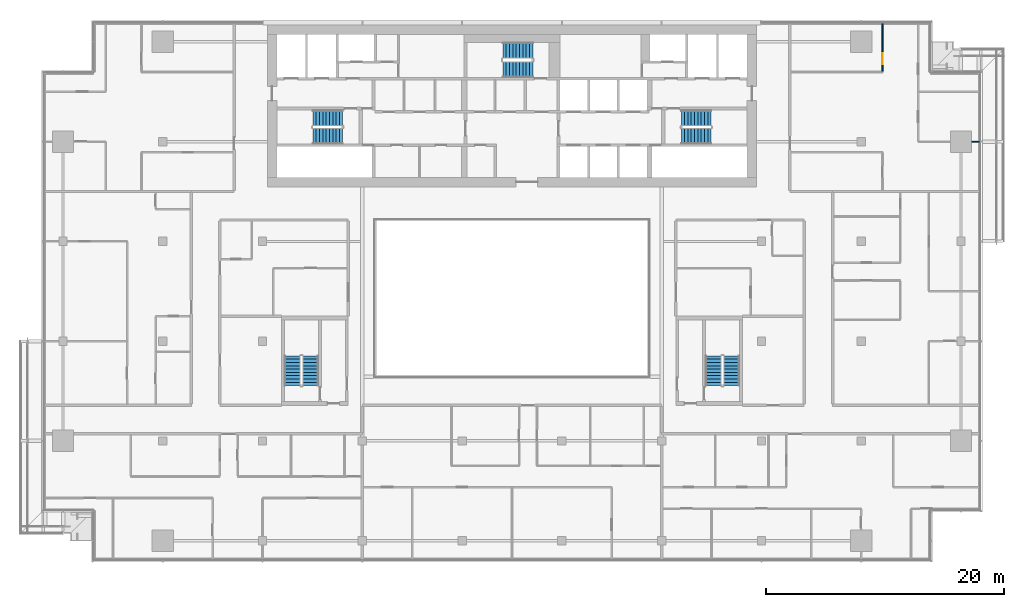
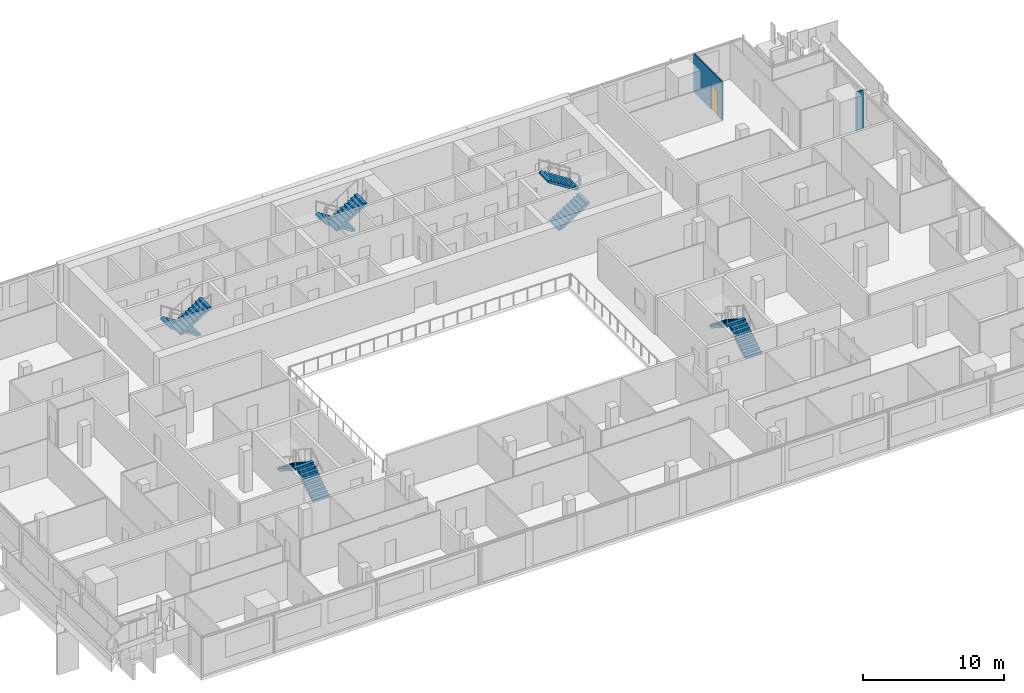
# One storey, part 23 of 29: 10 stair flights, 2 walls, 1 door, 1 opening, 5 elements without a shape of their own.
"""IFC4 building model written with IfcOpenShell, lengths in metres."""

from ifc_helpers import new_model, si_unit, direction, frame, frame_2d, origin, place, context, subcontext, project, spatial, polyline, rectangle, outline, extrude, material, layer, layer_set, type_object, element, fill, aggregate, save


model = new_model("IFC4")

# Units and contexts
model_context = context("Model", 3, precision=1e-05, world=origin(), true_north=direction((0.0, 1.0)))
body_context = subcontext(model_context, "Body", "Model", "MODEL_VIEW")
ifc_project = project(units=[si_unit("LENGTHUNIT", "METRE"), si_unit("AREAUNIT", "SQUARE_METRE"), si_unit("VOLUMEUNIT", "CUBIC_METRE"), si_unit("PLANEANGLEUNIT", "RADIAN"), si_unit("MASSUNIT", "GRAM", prefix="KILO")], contexts=[model_context])

# Site, building, storey
site_placement = place(None, origin())
site = spatial("IfcSite", under=ifc_project, at=site_placement, CompositionType="ELEMENT")
building_placement = place(site_placement, origin())
building = spatial("IfcBuilding", under=site, at=building_placement, Name="Saffron Gate Tower", CompositionType="ELEMENT")
storey_placement = place(building_placement, frame((0.0, 0.0, 187.050048828125)))
storey = spatial("IfcBuildingStorey", under=building, at=storey_placement, Name="L46", CompositionType="ELEMENT", Elevation=187.050048828125)

# Wall
ifc_material_1 = material(Name="Plasterboard on steel studs", Category="steel")
ifc_layer = layer(ifc_material_1, 0.10009765625)
ifc_layer_set = layer_set([ifc_layer], Name="PW1 Partition 100")
wall_type = type_object("IfcWallType", Name="PW1 Partition 100", PredefinedType="PARTITIONING", material=ifc_layer_set)
wall_1_placement = place(storey_placement, frame((126.320068359375, 65.39990234375, 0.0), z_axis=(0.0, 0.0, 1.0), x_axis=(1.0, 0.0, 0.0)))
element("IfcWall", 1, at=wall_1_placement, inside=storey, type_object=wall_type, Name="Partition C4-52", PredefinedType="PARTITIONING", context=body_context, shape_type="SweptSolid", body=[
    extrude(rectangle(XDim=0.599853515625, YDim=0.10009765625, at=frame_2d((0.2998046875, 0.0))), origin(), (0.0, 0.0, 1.0), 3.320068359375),
])

# Wall, opening, door
wall_2_placement = place(storey_placement, frame((118.800048828125, 71.306396484375, 0.0), z_axis=(0.0, 0.0, 1.0), x_axis=(0.0, 1.0, 0.0)))
wall_2 = element("IfcWall", 2, at=wall_2_placement, inside=storey, type_object=wall_type, Name="Partition C4-107", PredefinedType="PARTITIONING", context=body_context, shape_type="SweptSolid", body=[
    extrude(rectangle(XDim=4.013671875, YDim=0.10009765625, at=frame_2d((2.0068359375, 0.0))), origin(), (0.0, 0.0, 1.0), 3.320068359375),
])
opening_placement = place(wall_2_placement, frame((0.621826171875, 0.0, 0.0)))
opening = element("IfcOpeningElement", 3, at=opening_placement, cuts=wall_2, Name="Opening C4-37", PredefinedType="OPENING", context=body_context, shape_type="SweptSolid", body=[
    extrude(rectangle(XDim=0.89990234375, YDim=2.10009765625, at=frame_2d((0.449951171875, 1.050048828125))), frame((0.0, 0.06005859375, 0.0), z_axis=(0.0, -1.0, 0.0), x_axis=(1.0, 0.0, 0.0)), (0.0, 0.0, 1.0), 0.1201171875),
])
ifc_material_2 = material(Name="Timber door set", Category="wood")
door_type = type_object("IfcDoorType", Name="RD1 Room door 900x2100", OperationType="NOTDEFINED", PredefinedType="DOOR", material=ifc_material_2)
door_placement = place(opening_placement, origin())
door = element("IfcDoor", 4, at=door_placement, inside=storey, type_object=door_type, Name="Door C4-37", OperationType="SINGLE_SWING_LEFT", OverallHeight=2.10009765625, OverallWidth=0.89990234375, PredefinedType="DOOR", context=body_context, shape_type="SweptSolid", body=[
    extrude(rectangle(XDim=0.89990234375, YDim=2.10009765625, at=frame_2d((0.449951171875, 1.050048828125))), frame((0.0, 0.02490234375, 0.0), z_axis=(0.0, -1.0, 0.0), x_axis=(1.0, 0.0, 0.0)), (0.0, 0.0, 1.0), 0.050048828125),
])
fill(opening, door)

# Stair, stair flights
ifc_material_3 = material(Name="Concrete C40", Category="concrete")
stair_type = type_object("IfcStairType", Name="ST7 Stair 1350 wide, 20 risers of 180", PredefinedType="HALF_TURN_STAIR", material=ifc_material_3)
stair_1_placement = place(storey_placement, origin())
stair_1 = element("IfcStair", 5, at=stair_1_placement, inside=storey, type_object=stair_type, Name="L46 Exit stair A", PredefinedType="HALF_TURN_STAIR")
stair_flight_type = type_object("IfcStairFlightType", Name="SF3 Stair flight 1350 wide, riser 180 going 280", PredefinedType="STRAIGHT", material=ifc_material_3)
stair_flight_1_placement = place(storey_placement, frame((73.35009765625, 67.375, 0.0), z_axis=(0.0, 0.0, 1.0), x_axis=(-1.0, 0.0, 0.0)))
stair_flight_1 = element("IfcStairFlight", 6, at=stair_flight_1_placement, type_object=stair_flight_type, Name="ST-A flight 1", NumberOfRisers=10, NumberOfTreads=9, PredefinedType="STRAIGHT", RiserHeight=0.18, TreadLength=0.28, context=body_context, shape_type="SweptSolid", body=[
    extrude(outline(polyline([(0.0, 0.0), (0.0, 0.179931640625), (0.280029296875, 0.179931640625), (0.280029296875, 0.360107421875), (0.56005859375, 0.360107421875), (0.56005859375, 0.5400390625), (0.840087890625, 0.5400390625), (0.840087890625, 0.719970703125), (1.1201171875, 0.719970703125), (1.1201171875, 0.89990234375), (1.39990234375, 0.89990234375), (1.39990234375, 1.080078125), (1.679931640625, 1.080078125), (1.679931640625, 1.260009765625), (1.9599609375, 1.260009765625), (1.9599609375, 1.43994140625), (2.239990234375, 1.43994140625), (2.239990234375, 1.6201171875), (2.52001953125, 1.6201171875), (2.52001953125, 1.800048828125), (2.52001953125, 1.44189453125), (0.277099609375, 0.0), (0.0, 0.0)])), frame((0.0, 0.675048828125, 0.0), z_axis=(0.0, -1.0, 0.0), x_axis=(1.0, 0.0, 0.0)), (0.0, 0.0, 1.0), 1.35009765625),
])
stair_flight_2_placement = place(storey_placement, frame((70.830078125, 65.875, 1.800048828125), z_axis=(0.0, 0.0, 1.0), x_axis=(1.0, 0.0, 0.0)))
stair_flight_2 = element("IfcStairFlight", 7, at=stair_flight_2_placement, type_object=stair_flight_type, Name="ST-A flight 2", NumberOfRisers=10, NumberOfTreads=9, PredefinedType="STRAIGHT", RiserHeight=0.18, TreadLength=0.28, context=body_context, shape_type="SweptSolid", body=[
    extrude(outline(polyline([(0.0, 0.0), (0.0, 0.179931640625), (0.280029296875, 0.179931640625), (0.280029296875, 0.360107421875), (0.56005859375, 0.360107421875), (0.56005859375, 0.5400390625), (0.840087890625, 0.5400390625), (0.840087890625, 0.719970703125), (1.1201171875, 0.719970703125), (1.1201171875, 0.89990234375), (1.39990234375, 0.89990234375), (1.39990234375, 1.080078125), (1.679931640625, 1.080078125), (1.679931640625, 1.260009765625), (1.9599609375, 1.260009765625), (1.9599609375, 1.43994140625), (2.239990234375, 1.43994140625), (2.239990234375, 1.6201171875), (2.52001953125, 1.6201171875), (2.52001953125, 1.800048828125), (2.52001953125, 1.44189453125), (0.277099609375, 0.0), (0.0, 0.0)])), frame((0.0, 0.675048828125, 0.0), z_axis=(0.0, -1.0, 0.0), x_axis=(1.0, 0.0, 0.0)), (0.0, 0.0, 1.0), 1.35009765625),
])
aggregate(stair_1, [stair_flight_1, stair_flight_2])

stair_2_placement = place(storey_placement, origin())
stair_2 = element("IfcStair", 8, at=stair_2_placement, inside=storey, type_object=stair_type, Name="L46 Exit stair B", PredefinedType="HALF_TURN_STAIR")
stair_flight_3_placement = place(storey_placement, frame((101.85009765625, 65.875, 0.0), z_axis=(0.0, 0.0, 1.0), x_axis=(1.0, 0.0, 0.0)))
stair_flight_3 = element("IfcStairFlight", 9, at=stair_flight_3_placement, type_object=stair_flight_type, Name="ST-B flight 1", NumberOfRisers=10, NumberOfTreads=9, PredefinedType="STRAIGHT", RiserHeight=0.18, TreadLength=0.28, context=body_context, shape_type="SweptSolid", body=[
    extrude(outline(polyline([(0.0, 0.0), (0.0, 0.179931640625), (0.280029296875, 0.179931640625), (0.280029296875, 0.360107421875), (0.56005859375, 0.360107421875), (0.56005859375, 0.5400390625), (0.840087890625, 0.5400390625), (0.840087890625, 0.719970703125), (1.1201171875, 0.719970703125), (1.1201171875, 0.89990234375), (1.39990234375, 0.89990234375), (1.39990234375, 1.080078125), (1.679931640625, 1.080078125), (1.679931640625, 1.260009765625), (1.9599609375, 1.260009765625), (1.9599609375, 1.43994140625), (2.239990234375, 1.43994140625), (2.239990234375, 1.6201171875), (2.52001953125, 1.6201171875), (2.52001953125, 1.800048828125), (2.52001953125, 1.44189453125), (0.277099609375, 0.0), (0.0, 0.0)])), frame((0.0, 0.675048828125, 0.0), z_axis=(0.0, -1.0, 0.0), x_axis=(1.0, 0.0, 0.0)), (0.0, 0.0, 1.0), 1.35009765625),
])
stair_flight_4_placement = place(storey_placement, frame((104.3701171875, 67.375, 1.800048828125), z_axis=(0.0, 0.0, 1.0), x_axis=(-1.0, 0.0, 0.0)))
stair_flight_4 = element("IfcStairFlight", 10, at=stair_flight_4_placement, type_object=stair_flight_type, Name="ST-B flight 2", NumberOfRisers=10, NumberOfTreads=9, PredefinedType="STRAIGHT", RiserHeight=0.18, TreadLength=0.28, context=body_context, shape_type="SweptSolid", body=[
    extrude(outline(polyline([(0.0, 0.0), (0.0, 0.179931640625), (0.280029296875, 0.179931640625), (0.280029296875, 0.360107421875), (0.56005859375, 0.360107421875), (0.56005859375, 0.5400390625), (0.840087890625, 0.5400390625), (0.840087890625, 0.719970703125), (1.1201171875, 0.719970703125), (1.1201171875, 0.89990234375), (1.39990234375, 0.89990234375), (1.39990234375, 1.080078125), (1.679931640625, 1.080078125), (1.679931640625, 1.260009765625), (1.9599609375, 1.260009765625), (1.9599609375, 1.43994140625), (2.239990234375, 1.43994140625), (2.239990234375, 1.6201171875), (2.52001953125, 1.6201171875), (2.52001953125, 1.800048828125), (2.52001953125, 1.44189453125), (0.277099609375, 0.0), (0.0, 0.0)])), frame((0.0, 0.675048828125, 0.0), z_axis=(0.0, -1.0, 0.0), x_axis=(1.0, 0.0, 0.0)), (0.0, 0.0, 1.0), 1.35009765625),
])
aggregate(stair_2, [stair_flight_3, stair_flight_4])

stair_3_placement = place(storey_placement, origin())
stair_3 = element("IfcStair", 11, at=stair_3_placement, inside=storey, type_object=stair_type, Name="L46 Exit stair C", PredefinedType="HALF_TURN_STAIR")
stair_flight_5_placement = place(storey_placement, frame((89.35009765625, 73.074951171875, 0.0), z_axis=(0.0, 0.0, 1.0), x_axis=(-1.0, 0.0, 0.0)))
stair_flight_5 = element("IfcStairFlight", 12, at=stair_flight_5_placement, type_object=stair_flight_type, Name="ST-C flight 1", NumberOfRisers=10, NumberOfTreads=9, PredefinedType="STRAIGHT", RiserHeight=0.18, TreadLength=0.28, context=body_context, shape_type="SweptSolid", body=[
    extrude(outline(polyline([(0.0, 0.0), (0.0, 0.179931640625), (0.280029296875, 0.179931640625), (0.280029296875, 0.360107421875), (0.56005859375, 0.360107421875), (0.56005859375, 0.5400390625), (0.840087890625, 0.5400390625), (0.840087890625, 0.719970703125), (1.1201171875, 0.719970703125), (1.1201171875, 0.89990234375), (1.39990234375, 0.89990234375), (1.39990234375, 1.080078125), (1.679931640625, 1.080078125), (1.679931640625, 1.260009765625), (1.9599609375, 1.260009765625), (1.9599609375, 1.43994140625), (2.239990234375, 1.43994140625), (2.239990234375, 1.6201171875), (2.52001953125, 1.6201171875), (2.52001953125, 1.800048828125), (2.52001953125, 1.44189453125), (0.277099609375, 0.0), (0.0, 0.0)])), frame((0.0, 0.675048828125, 0.0), z_axis=(0.0, -1.0, 0.0), x_axis=(1.0, 0.0, 0.0)), (0.0, 0.0, 1.0), 1.35009765625),
])
stair_flight_6_placement = place(storey_placement, frame((86.830078125, 71.47509765625, 1.800048828125), z_axis=(0.0, 0.0, 1.0), x_axis=(1.0, 0.0, 0.0)))
stair_flight_6 = element("IfcStairFlight", 13, at=stair_flight_6_placement, type_object=stair_flight_type, Name="ST-C flight 2", NumberOfRisers=10, NumberOfTreads=9, PredefinedType="STRAIGHT", RiserHeight=0.18, TreadLength=0.28, context=body_context, shape_type="SweptSolid", body=[
    extrude(outline(polyline([(0.0, 0.0), (0.0, 0.179931640625), (0.280029296875, 0.179931640625), (0.280029296875, 0.360107421875), (0.56005859375, 0.360107421875), (0.56005859375, 0.5400390625), (0.840087890625, 0.5400390625), (0.840087890625, 0.719970703125), (1.1201171875, 0.719970703125), (1.1201171875, 0.89990234375), (1.39990234375, 0.89990234375), (1.39990234375, 1.080078125), (1.679931640625, 1.080078125), (1.679931640625, 1.260009765625), (1.9599609375, 1.260009765625), (1.9599609375, 1.43994140625), (2.239990234375, 1.43994140625), (2.239990234375, 1.6201171875), (2.52001953125, 1.6201171875), (2.52001953125, 1.800048828125), (2.52001953125, 1.44189453125), (0.277099609375, 0.0), (0.0, 0.0)])), frame((0.0, 0.675048828125, 0.0), z_axis=(0.0, -1.0, 0.0), x_axis=(1.0, 0.0, 0.0)), (0.0, 0.0, 1.0), 1.35009765625),
])
aggregate(stair_3, [stair_flight_5, stair_flight_6])

stair_4_placement = place(storey_placement, origin())
stair_4 = element("IfcStair", 14, at=stair_4_placement, inside=storey, type_object=stair_type, Name="L46 Exit stair D", PredefinedType="HALF_TURN_STAIR")
stair_flight_7_placement = place(storey_placement, frame((70.625, 44.85009765625, 0.0), z_axis=(0.0, 0.0, 1.0), x_axis=(0.0, 1.0, 0.0)))
stair_flight_7 = element("IfcStairFlight", 15, at=stair_flight_7_placement, type_object=stair_flight_type, Name="ST-D flight 1", NumberOfRisers=10, NumberOfTreads=9, PredefinedType="STRAIGHT", RiserHeight=0.18, TreadLength=0.28, context=body_context, shape_type="SweptSolid", body=[
    extrude(outline(polyline([(0.0, 0.0), (0.0, 0.179931640625), (0.280029296875, 0.179931640625), (0.280029296875, 0.360107421875), (0.56005859375, 0.360107421875), (0.56005859375, 0.5400390625), (0.840087890625, 0.5400390625), (0.840087890625, 0.719970703125), (1.1201171875, 0.719970703125), (1.1201171875, 0.89990234375), (1.39990234375, 0.89990234375), (1.39990234375, 1.080078125), (1.679931640625, 1.080078125), (1.679931640625, 1.260009765625), (1.9599609375, 1.260009765625), (1.9599609375, 1.43994140625), (2.239990234375, 1.43994140625), (2.239990234375, 1.6201171875), (2.52001953125, 1.6201171875), (2.52001953125, 1.800048828125), (2.52001953125, 1.44189453125), (0.277099609375, 0.0), (0.0, 0.0)])), frame((0.0, 0.675048828125, 0.0), z_axis=(0.0, -1.0, 0.0), x_axis=(1.0, 0.0, 0.0)), (0.0, 0.0, 1.0), 1.35009765625),
])
stair_flight_8_placement = place(storey_placement, frame((69.125, 47.3701171875, 1.800048828125), z_axis=(0.0, 0.0, 1.0), x_axis=(0.0, -1.0, 0.0)))
stair_flight_8 = element("IfcStairFlight", 16, at=stair_flight_8_placement, type_object=stair_flight_type, Name="ST-D flight 2", NumberOfRisers=10, NumberOfTreads=9, PredefinedType="STRAIGHT", RiserHeight=0.18, TreadLength=0.28, context=body_context, shape_type="SweptSolid", body=[
    extrude(outline(polyline([(0.0, 0.0), (0.0, 0.179931640625), (0.280029296875, 0.179931640625), (0.280029296875, 0.360107421875), (0.56005859375, 0.360107421875), (0.56005859375, 0.5400390625), (0.840087890625, 0.5400390625), (0.840087890625, 0.719970703125), (1.1201171875, 0.719970703125), (1.1201171875, 0.89990234375), (1.39990234375, 0.89990234375), (1.39990234375, 1.080078125), (1.679931640625, 1.080078125), (1.679931640625, 1.260009765625), (1.9599609375, 1.260009765625), (1.9599609375, 1.43994140625), (2.239990234375, 1.43994140625), (2.239990234375, 1.6201171875), (2.52001953125, 1.6201171875), (2.52001953125, 1.800048828125), (2.52001953125, 1.44189453125), (0.277099609375, 0.0), (0.0, 0.0)])), frame((0.0, 0.675048828125, 0.0), z_axis=(0.0, -1.0, 0.0), x_axis=(1.0, 0.0, 0.0)), (0.0, 0.0, 1.0), 1.35009765625),
])
aggregate(stair_4, [stair_flight_7, stair_flight_8])

stair_5_placement = place(storey_placement, origin())
stair_5 = element("IfcStair", 17, at=stair_5_placement, inside=storey, type_object=stair_type, Name="L46 Exit stair E", PredefinedType="HALF_TURN_STAIR")
stair_flight_9_placement = place(storey_placement, frame((106.074951171875, 44.85009765625, 0.0), z_axis=(0.0, 0.0, 1.0), x_axis=(0.0, 1.0, 0.0)))
stair_flight_9 = element("IfcStairFlight", 18, at=stair_flight_9_placement, type_object=stair_flight_type, Name="ST-E flight 1", NumberOfRisers=10, NumberOfTreads=9, PredefinedType="STRAIGHT", RiserHeight=0.18, TreadLength=0.28, context=body_context, shape_type="SweptSolid", body=[
    extrude(outline(polyline([(0.0, 0.0), (0.0, 0.179931640625), (0.280029296875, 0.179931640625), (0.280029296875, 0.360107421875), (0.56005859375, 0.360107421875), (0.56005859375, 0.5400390625), (0.840087890625, 0.5400390625), (0.840087890625, 0.719970703125), (1.1201171875, 0.719970703125), (1.1201171875, 0.89990234375), (1.39990234375, 0.89990234375), (1.39990234375, 1.080078125), (1.679931640625, 1.080078125), (1.679931640625, 1.260009765625), (1.9599609375, 1.260009765625), (1.9599609375, 1.43994140625), (2.239990234375, 1.43994140625), (2.239990234375, 1.6201171875), (2.52001953125, 1.6201171875), (2.52001953125, 1.800048828125), (2.52001953125, 1.44189453125), (0.277099609375, 0.0), (0.0, 0.0)])), frame((0.0, 0.675048828125, 0.0), z_axis=(0.0, -1.0, 0.0), x_axis=(1.0, 0.0, 0.0)), (0.0, 0.0, 1.0), 1.35009765625),
])
stair_flight_10_placement = place(storey_placement, frame((104.574951171875, 47.3701171875, 1.800048828125), z_axis=(0.0, 0.0, 1.0), x_axis=(0.0, -1.0, 0.0)))
stair_flight_10 = element("IfcStairFlight", 19, at=stair_flight_10_placement, type_object=stair_flight_type, Name="ST-E flight 2", NumberOfRisers=10, NumberOfTreads=9, PredefinedType="STRAIGHT", RiserHeight=0.18, TreadLength=0.28, context=body_context, shape_type="SweptSolid", body=[
    extrude(outline(polyline([(0.0, 0.0), (0.0, 0.179931640625), (0.280029296875, 0.179931640625), (0.280029296875, 0.360107421875), (0.56005859375, 0.360107421875), (0.56005859375, 0.5400390625), (0.840087890625, 0.5400390625), (0.840087890625, 0.719970703125), (1.1201171875, 0.719970703125), (1.1201171875, 0.89990234375), (1.39990234375, 0.89990234375), (1.39990234375, 1.080078125), (1.679931640625, 1.080078125), (1.679931640625, 1.260009765625), (1.9599609375, 1.260009765625), (1.9599609375, 1.43994140625), (2.239990234375, 1.43994140625), (2.239990234375, 1.6201171875), (2.52001953125, 1.6201171875), (2.52001953125, 1.800048828125), (2.52001953125, 1.44189453125), (0.277099609375, 0.0), (0.0, 0.0)])), frame((0.0, 0.675048828125, 0.0), z_axis=(0.0, -1.0, 0.0), x_axis=(1.0, 0.0, 0.0)), (0.0, 0.0, 1.0), 1.35009765625),
])
aggregate(stair_5, [stair_flight_9, stair_flight_10])

save(model, "model.ifc")
